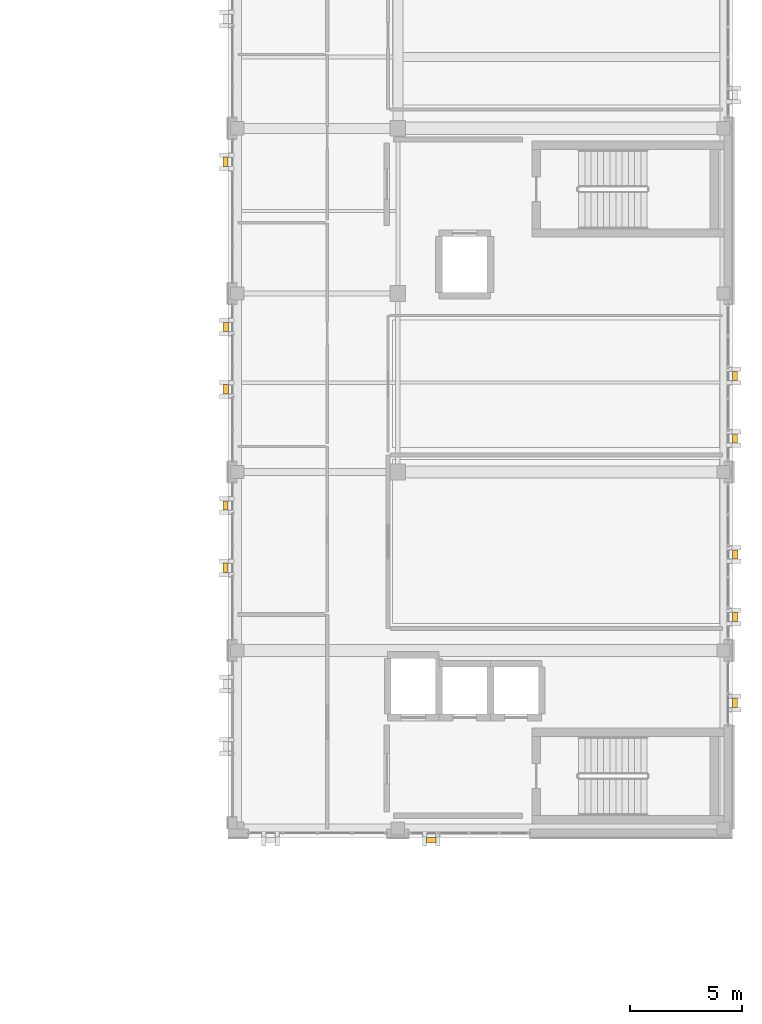
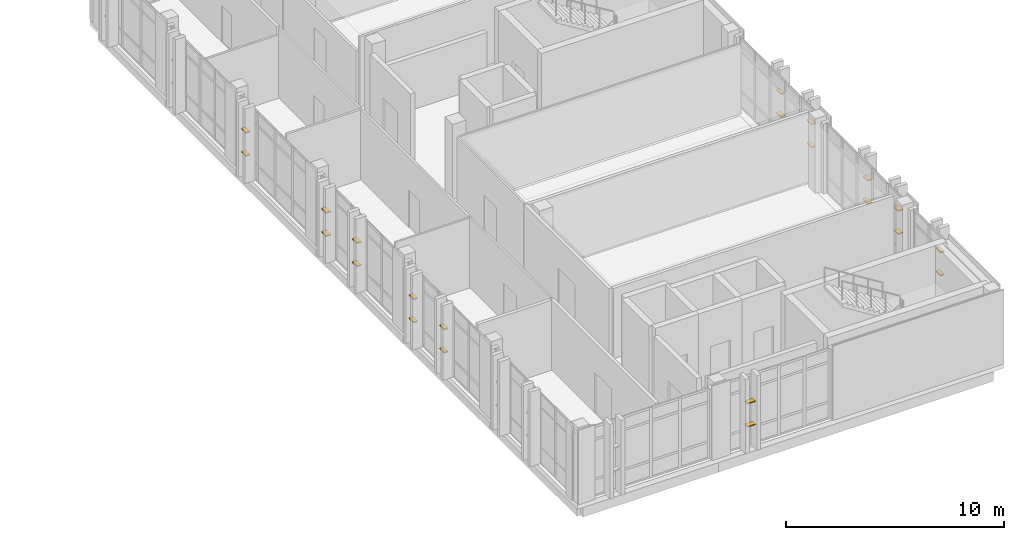
# One storey, part 88 of 90: 22 shading devices.
"""IFC4 building model written with IfcOpenShell, lengths in metres."""

import ifcopenshell
import ifcopenshell.guid

model = None  # the IFC model being written
_history = None  # IfcOwnerHistory: only IFC2X3 demands one
_inside = {}  # id of a spatial element -> (the spatial element, [elements in it])
_under = {}  # id of a project, library or spatial element -> (it, [spatial elements below it])
_declared = {}  # id of a project -> (the project, [libraries it declares])
_typed = {}  # id of a type object -> (the type object, [elements of that type])
_made_of = {}  # id of a material, layer set ... -> (it, [elements and type objects made of it])


def new_model(schema):
    """Start an empty IFC model of exactly this schema.

    Asked for "IFC4X3", IfcOpenShell would pick the latest addendum, in which some entities
    have other attributes; the version numbers below select the first issue.
    IFC2X3 requires an IfcOwnerHistory on every rooted entity: one is made here for all.
    """
    global model, _history
    if schema == "IFC4X3":
        model = ifcopenshell.file(schema_version=(4, 3, 0, 0))
    else:
        model = ifcopenshell.file(schema=schema)
    _inside.clear()
    _under.clear()
    _declared.clear()
    _typed.clear()
    _made_of.clear()
    _history = None
    if model.schema == "IFC2X3":
        org = make("IfcOrganization", Name="unknown")
        user = make(
            "IfcPersonAndOrganization",
            ThePerson=make("IfcPerson", FamilyName="unknown"),
            TheOrganization=org,
        )
        app = make(
            "IfcApplication",
            ApplicationDeveloper=org,
            Version="unknown",
            ApplicationFullName="unknown",
            ApplicationIdentifier="unknown",
        )
        _history = make(
            "IfcOwnerHistory",
            OwningUser=user,
            OwningApplication=app,
            ChangeAction="ADDED",
            CreationDate=0,
        )
    return model


def make(cls, **values):
    """One entity of the class cls with the attributes given. An attribute that is None is left unset."""
    return model.create_entity(
        cls, **{name: value for name, value in values.items() if value is not None}
    )


def rooted(cls, **values):
    """An entity with a GlobalId (a new one), such as an element, a storey or a relation."""
    return make(cls, GlobalId=ifcopenshell.guid.new(), OwnerHistory=_history, **values)


def si_unit(unit_type, name, prefix=None):
    """IfcSIUnit, for example si_unit("LENGTHUNIT", "METRE", prefix="MILLI")."""
    return make("IfcSIUnit", UnitType=unit_type, Prefix=prefix, Name=name)


def assignment(units):
    """IfcUnitAssignment: the units of a project."""
    return None if units is None else make("IfcUnitAssignment", Units=units)


def point(xyz):
    """IfcCartesianPoint."""
    return None if xyz is None else make("IfcCartesianPoint", Coordinates=xyz)


def direction(xyz):
    """IfcDirection."""
    return None if xyz is None else make("IfcDirection", DirectionRatios=xyz)


def frame(location, z_axis=None, x_axis=None):
    """IfcAxis2Placement3D, a coordinate frame: its origin and axes. An axis left out is left unset."""
    return make(
        "IfcAxis2Placement3D",
        Location=point(location),
        Axis=direction(z_axis),
        RefDirection=direction(x_axis),
    )


def frame_2d(location, x_axis=None):
    """IfcAxis2Placement2D, a coordinate frame in the plane: its origin and x axis."""
    return make(
        "IfcAxis2Placement2D", Location=point(location), RefDirection=direction(x_axis)
    )


def origin():
    """The frame at (0, 0, 0) with its axes left unset."""
    return frame((0.0, 0.0, 0.0))


def origin_2d():
    """The frame at (0, 0) in the plane with its x axis left unset."""
    return frame_2d((0.0, 0.0))


def place(relative_to, where):
    """IfcLocalPlacement: puts the frame where relative to a parent placement (None: the world)."""
    return make(
        "IfcLocalPlacement", PlacementRelTo=relative_to, RelativePlacement=where
    )


def context(
    kind, dimensions, precision=None, world=None, true_north=None, identifier=None
):
    """IfcGeometricRepresentationContext, for example the 3D "Model" context."""
    return make(
        "IfcGeometricRepresentationContext",
        ContextIdentifier=identifier,
        ContextType=kind,
        CoordinateSpaceDimension=dimensions,
        Precision=precision,
        WorldCoordinateSystem=world,
        TrueNorth=true_north,
    )


def subcontext(parent, identifier, kind, view, scale=None):
    """IfcGeometricRepresentationSubContext, for example "Body" below "Model"."""
    return make(
        "IfcGeometricRepresentationSubContext",
        ContextIdentifier=identifier,
        ContextType=kind,
        ParentContext=parent,
        TargetScale=scale,
        TargetView=view,
    )


def project(units=None, contexts=None):
    """IfcProject with its units and contexts."""
    return rooted(
        "IfcProject",
        Name="project",
        RepresentationContexts=contexts,
        UnitsInContext=assignment(units),
    )


def spatial(cls, under=None, at=None, **own):
    """A site, building, storey or space (cls), placed at a placement, below another one or the project."""
    s = rooted(cls, ObjectPlacement=at, **own)
    if under is not None:
        _under.setdefault(under.id(), (under, []))[1].append(s)
    return s


def profile(cls, at=None, kind="AREA", **sizes):
    """A parametric profile (cls). Its sizes go by their IFC names, for example OverallWidth=200.0."""
    return make(cls, ProfileType=kind, Position=at, **sizes)


def rectangle(**sizes):
    """IfcRectangleProfileDef."""
    return profile("IfcRectangleProfileDef", **sizes)


def extrude(swept, where, along, depth):
    """IfcExtrudedAreaSolid: the profile swept, set in the frame where, extruded along a direction by depth."""
    return make(
        "IfcExtrudedAreaSolid",
        SweptArea=swept,
        Position=where,
        ExtrudedDirection=direction(along),
        Depth=depth,
    )


def shape(context_of_items, identifier, shape_type, items):
    """IfcShapeRepresentation: the items that make up one representation, for example the "Body"."""
    return make(
        "IfcShapeRepresentation",
        ContextOfItems=context_of_items,
        RepresentationIdentifier=identifier,
        RepresentationType=shape_type,
        Items=items,
    )


def material(Name=None, Category=None):
    """IfcMaterial."""
    return make("IfcMaterial", Name=Name, Category=Category)


def made_of(thing, what):
    """Note that an element or type object is made of a material, layer set ...; save() writes the relation."""
    if what is not None:
        _made_of.setdefault(what.id(), (what, []))[1].append(thing)
    return thing


def type_object(cls, material=None, **own):
    """A type object (cls), such as IfcWallType, which elements share."""
    return made_of(rooted(cls, **own), material)


def element(
    cls,
    number,
    at=None,
    inside=None,
    cuts=None,
    type_object=None,
    material=None,
    context=None,
    identifier="Body",
    shape_type=None,
    held_by="IfcProductDefinitionShape",
    body=None,
    shapes=None,
    **own,
):
    """One element of the class cls, such as IfcWall. Its Tag is "e" and its number.

    at: its placement. inside: the storey or other place that contains it. cuts: it is an
    opening in that element (IfcRelVoidsElement). A single representation is given by context,
    identifier, shape_type and body (its items); several are given by shapes. held_by: the class
    of the entity that holds the representations. save() writes the other relations.
    """
    e = rooted(cls, Tag="e%d" % number, ObjectPlacement=at, **own)
    if body is not None:
        shapes = [shape(context, identifier, shape_type, body)]
    if shapes is not None:
        e.Representation = make(held_by, Representations=shapes)
    if inside is not None:
        _inside.setdefault(inside.id(), (inside, []))[1].append(e)
    if cuts is not None:
        rooted(
            "IfcRelVoidsElement", RelatingBuildingElement=cuts, RelatedOpeningElement=e
        )
    if type_object is not None:
        _typed.setdefault(type_object.id(), (type_object, []))[1].append(e)
    return made_of(e, material)


def aggregate(whole, parts):
    """IfcRelAggregates: a whole, such as a stair, and the parts it consists of."""
    return rooted("IfcRelAggregates", RelatingObject=whole, RelatedObjects=parts)


def save(model, path):
    """Write the relations noted so far, then the file.

    IfcRelAggregates (storeys below a building ...), IfcRelContainedInSpatialStructure (elements
    in a storey), IfcRelDefinesByType, IfcRelAssociatesMaterial and IfcRelDeclares: one each for
    every whole, place, type object, material and project.
    """
    for whole, parts in _under.values():
        aggregate(whole, parts)
    for where, things in _inside.values():
        rooted(
            "IfcRelContainedInSpatialStructure",
            RelatedElements=things,
            RelatingStructure=where,
        )
    for kind, things in _typed.values():
        rooted("IfcRelDefinesByType", RelatedObjects=things, RelatingType=kind)
    for what, things in _made_of.values():
        rooted("IfcRelAssociatesMaterial", RelatedObjects=things, RelatingMaterial=what)
    for by, libraries in _declared.values():
        rooted("IfcRelDeclares", RelatingContext=by, RelatedDefinitions=libraries)
    model.write(path)


model = new_model("IFC4")

# Units and contexts
model_context = context("Model", 3, precision=1e-05, world=origin(), true_north=direction((0.0, 1.0)))
body_context = subcontext(model_context, "Body", "Model", "MODEL_VIEW")
ifc_project = project(units=[si_unit("LENGTHUNIT", "METRE"), si_unit("AREAUNIT", "SQUARE_METRE"), si_unit("VOLUMEUNIT", "CUBIC_METRE"), si_unit("PLANEANGLEUNIT", "RADIAN"), si_unit("MASSUNIT", "GRAM", prefix="KILO")], contexts=[model_context])

# Site, building, storey
site_placement = place(None, origin())
site = spatial("IfcSite", under=ifc_project, at=site_placement, CompositionType="ELEMENT")
building_placement = place(site_placement, origin())
building = spatial("IfcBuilding", under=site, at=building_placement, Name="Qalavern Law Courts", CompositionType="ELEMENT")
storey_placement = place(building_placement, frame((0.0, 0.0, 22.800048828125)))
storey = spatial("IfcBuildingStorey", under=building, at=storey_placement, Name="L05", CompositionType="ELEMENT", Elevation=22.800048828125)

# Shading devices
ifc_material = material(Name="Anodised aluminium", Category="aluminium")
shading_device_type_1 = type_object("IfcShadingDeviceType", Name="ENV-LOUV-1", PredefinedType="JALOUSIE", material=ifc_material)
for number, where, z_axis, x_axis, name in (
    (1, (106.91748046875, 47.050048828125, 1.345458984375), (0.0, 0.0, 1.0), (0.0, 1.0, 0.0), "Horizontal sun louvre V4-L05-0-1"),
    (2, (106.91748046875, 47.050048828125, 2.642333984375), (0.0, 0.0, 1.0), (0.0, 1.0, 0.0), "Horizontal sun louvre V4-L05-0-2"),
    (3, (106.91748046875, 58.89990234375, 1.345458984375), (0.0, 0.0, 1.0), (0.0, 1.0, 0.0), "Horizontal sun louvre V4-L05-0-1"),
    (4, (106.91748046875, 58.89990234375, 2.642333984375), (0.0, 0.0, 1.0), (0.0, 1.0, 0.0), "Horizontal sun louvre V4-L05-0-2"),
    (5, (106.91748046875, 61.699951171875, 1.345458984375), (0.0, 0.0, 1.0), (0.0, 1.0, 0.0), "Horizontal sun louvre V4-L05-1-1"),
    (6, (106.91748046875, 61.699951171875, 2.642333984375), (0.0, 0.0, 1.0), (0.0, 1.0, 0.0), "Horizontal sun louvre V4-L05-1-2"),
    (7, (84.08251953125, 71.300048828125, 1.345458984375), (0.0, 0.0, 1.0), (0.0, -1.0, 0.0), "Horizontal sun louvre V4-L05-0-1"),
    (8, (84.08251953125, 71.300048828125, 2.642333984375), (0.0, 0.0, 1.0), (0.0, -1.0, 0.0), "Horizontal sun louvre V4-L05-0-2"),
    (9, (84.08251953125, 55.89990234375, 1.345458984375), (0.0, 0.0, 1.0), (0.0, -1.0, 0.0), "Horizontal sun louvre V4-L05-0-1"),
    (10, (84.08251953125, 55.89990234375, 2.642333984375), (0.0, 0.0, 1.0), (0.0, -1.0, 0.0), "Horizontal sun louvre V4-L05-0-2"),
    (11, (84.08251953125, 53.10009765625, 1.345458984375), (0.0, 0.0, 1.0), (0.0, -1.0, 0.0), "Horizontal sun louvre V4-L05-1-1"),
    (12, (84.08251953125, 53.10009765625, 2.642333984375), (0.0, 0.0, 1.0), (0.0, -1.0, 0.0), "Horizontal sun louvre V4-L05-1-2"),
):
    element("IfcShadingDevice", number, at=place(storey_placement, frame(where, z_axis=z_axis, x_axis=x_axis)), inside=storey, type_object=shading_device_type_1, Name=name, PredefinedType="JALOUSIE", context=body_context, shape_type="SweptSolid", body=[
        extrude(rectangle(XDim=0.419921875, YDim=0.2099609375, at=origin_2d()), origin(), (0.0, 0.0, 1.0), 0.06005859375),
    ])
shading_device_type_2 = type_object("IfcShadingDeviceType", Name="ENV-LOUV-2", PredefinedType="JALOUSIE", material=ifc_material)
for number, where, z_axis, x_axis, name in (
    (13, (93.300048828125, 40.902587890625, 1.345458984375), (0.0, 0.0, 1.0), (1.0, 0.0, 0.0), "Horizontal sun louvre V4-L05-0-1"),
    (14, (93.300048828125, 40.902587890625, 2.642333984375), (0.0, 0.0, 1.0), (1.0, 0.0, 0.0), "Horizontal sun louvre V4-L05-0-2"),
    (15, (106.91748046875, 50.89990234375, 1.345458984375), (0.0, 0.0, 1.0), (0.0, 1.0, 0.0), "Horizontal sun louvre V4-L05-0-1"),
    (16, (106.91748046875, 50.89990234375, 2.642333984375), (0.0, 0.0, 1.0), (0.0, 1.0, 0.0), "Horizontal sun louvre V4-L05-0-2"),
    (17, (106.91748046875, 53.699951171875, 1.345458984375), (0.0, 0.0, 1.0), (0.0, 1.0, 0.0), "Horizontal sun louvre V4-L05-1-1"),
    (18, (106.91748046875, 53.699951171875, 2.642333984375), (0.0, 0.0, 1.0), (0.0, 1.0, 0.0), "Horizontal sun louvre V4-L05-1-2"),
    (19, (84.08251953125, 63.89990234375, 1.345458984375), (0.0, 0.0, 1.0), (0.0, -1.0, 0.0), "Horizontal sun louvre V4-L05-0-1"),
    (20, (84.08251953125, 63.89990234375, 2.642333984375), (0.0, 0.0, 1.0), (0.0, -1.0, 0.0), "Horizontal sun louvre V4-L05-0-2"),
    (21, (84.08251953125, 61.10009765625, 1.345458984375), (0.0, 0.0, 1.0), (0.0, -1.0, 0.0), "Horizontal sun louvre V4-L05-1-1"),
    (22, (84.08251953125, 61.10009765625, 2.642333984375), (0.0, 0.0, 1.0), (0.0, -1.0, 0.0), "Horizontal sun louvre V4-L05-1-2"),
):
    element("IfcShadingDevice", number, at=place(storey_placement, frame(where, z_axis=z_axis, x_axis=x_axis)), inside=storey, type_object=shading_device_type_2, Name=name, PredefinedType="JALOUSIE", context=body_context, shape_type="SweptSolid", body=[
        extrude(rectangle(XDim=0.419921875, YDim=0.25, at=origin_2d()), origin(), (0.0, 0.0, 1.0), 0.06005859375),
    ])

save(model, "model.ifc")
